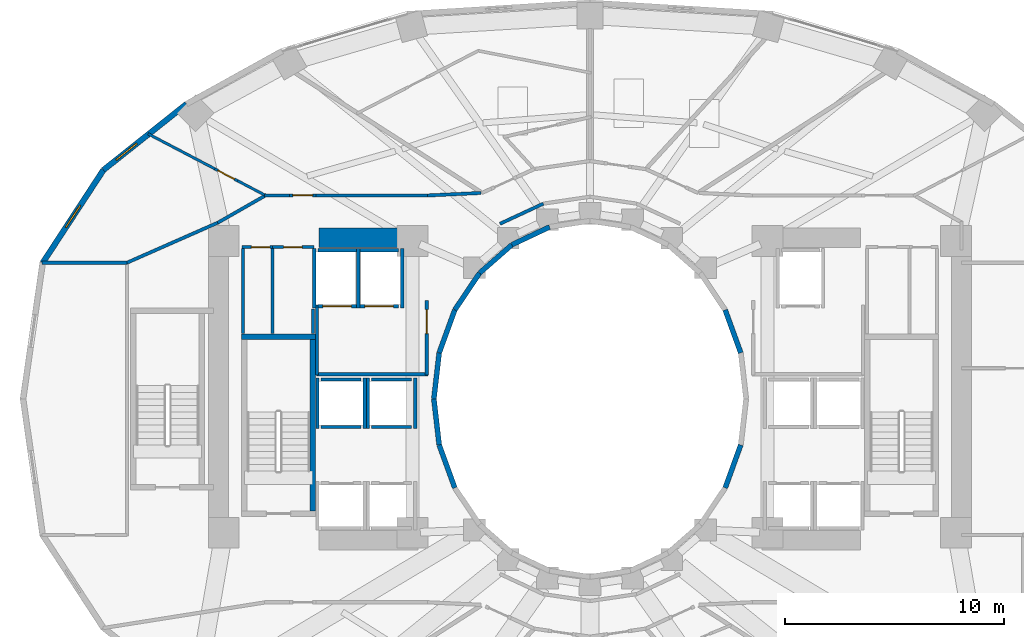
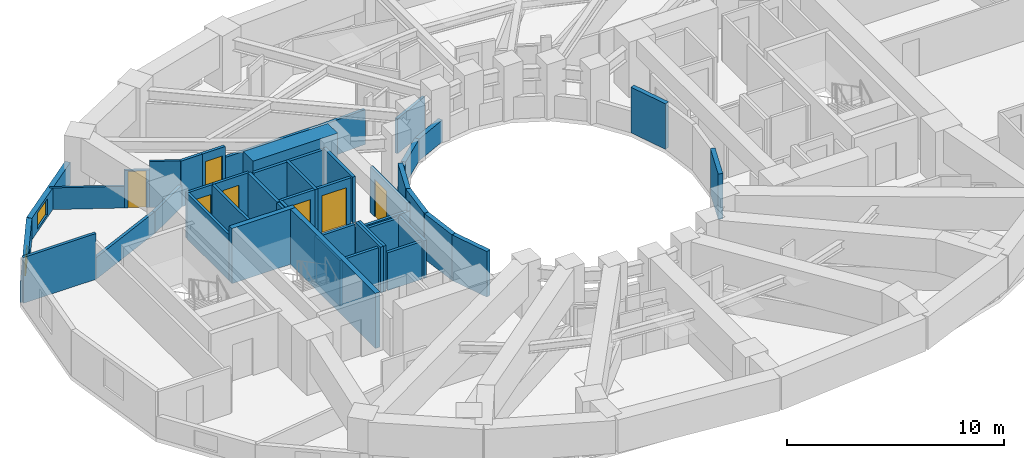
# One storey, part 11 of 17: 48 walls, 7 doors, 2 windows, 9 openings.
"""IFC4 building model written with IfcOpenShell, lengths in metres."""

from ifc_helpers import new_model, si_unit, direction, frame, frame_2d, origin, place, context, subcontext, project, spatial, rectangle, extrude, material, layer, layer_set, type_object, element, fill, save


model = new_model("IFC4")

# Units and contexts
model_context = context("Model", 3, precision=1e-05, world=origin(), true_north=direction((0.0, 1.0)))
body_context = subcontext(model_context, "Body", "Model", "MODEL_VIEW")
ifc_project = project(units=[si_unit("LENGTHUNIT", "METRE"), si_unit("AREAUNIT", "SQUARE_METRE"), si_unit("VOLUMEUNIT", "CUBIC_METRE"), si_unit("PLANEANGLEUNIT", "RADIAN"), si_unit("MASSUNIT", "GRAM", prefix="KILO")], contexts=[model_context])

# Site, building, storey
site_placement = place(None, origin())
site = spatial("IfcSite", under=ifc_project, at=site_placement, CompositionType="ELEMENT")
building_placement = place(site_placement, origin())
building = spatial("IfcBuilding", under=site, at=building_placement, Name="Solvane Sanctuary Tower", CompositionType="ELEMENT")
storey_placement = place(building_placement, frame((0.0, 0.0, 52.39990234375)))
storey = spatial("IfcBuildingStorey", under=building, at=storey_placement, Name="L15", CompositionType="ELEMENT", Elevation=52.39990234375)

# Walls
ifc_material_1 = material(Name="Concrete C70/85", Category="concrete")
ifc_layer_1 = layer(ifc_material_1, 0.89990234375, Name="Concrete C70/85")
ifc_layer_set_1 = layer_set([ifc_layer_1], Name="Concrete C70/85")
wall_type_1 = type_object("IfcWallType", Name="Wall W-CORE-900", PredefinedType="SHEAR", material=ifc_layer_set_1)
wall_1_placement = place(storey_placement, frame((19.64990234375, 30.35009765625, 0.0), z_axis=(0.0, 0.0, 1.0), x_axis=(1.0, 0.0, 0.0)))
element("IfcWall", 1, at=wall_1_placement, inside=storey, type_object=wall_type_1, Name="L15 Core Shear Wall WC-N", PredefinedType="SHEAR", context=body_context, shape_type="SweptSolid", body=[
    extrude(rectangle(XDim=4.5, YDim=0.89990234375, at=frame_2d((2.25, 0.0))), origin(), (0.0, 0.0, 1.0), 3.10009765625),
])
ifc_material_2 = material(Name="Acoustic Gypsum Partition Board")
ifc_layer_2 = layer(ifc_material_2, 0.14990234375, Name="Acoustic Gypsum Partition Board")
ifc_layer_set_2 = layer_set([ifc_layer_2], Name="Acoustic Gypsum Partition Board")
wall_type_2 = type_object("IfcWallType", Name="Wall W-CORR-150", PredefinedType="PARTITIONING", material=ifc_layer_set_2)
wall_2_placement = place(storey_placement, frame((19.52001953125, 24.1201171875, 0.0), z_axis=(0.0, 0.0, 1.0), x_axis=(1.0, 0.0, 0.0)))
element("IfcWall", 2, at=wall_2_placement, inside=storey, type_object=wall_type_2, Name="L15 West Firefighting Lobby South Wall", PredefinedType="PARTITIONING", context=body_context, shape_type="SweptSolid", body=[
    extrude(rectangle(XDim=5.080078125, YDim=0.14990234375, at=frame_2d((2.5400390625, 0.0))), origin(), (0.0, 0.0, 1.0), 2.1201171875),
])
wall_3_placement = place(storey_placement, frame((19.550048828125, 24.080078125, 0.0), z_axis=(0.0, 0.0, 1.0), x_axis=(0.0, 1.0, 0.0)))
element("IfcWall", 3, at=wall_3_placement, inside=storey, type_object=wall_type_2, Name="L15 West Firefighting Lobby West Wall", PredefinedType="PARTITIONING", context=body_context, shape_type="SweptSolid", body=[
    extrude(rectangle(XDim=3.199951171875, YDim=0.14990234375, at=frame_2d((1.60009765625, 0.0))), origin(), (0.0, 0.0, 1.0), 2.5751953125),
])

# Wall, opening, door
wall_4_placement = place(storey_placement, frame((24.550048828125, 24.080078125, 0.0), z_axis=(0.0, 0.0, 1.0), x_axis=(0.0, 1.0, 0.0)))
wall_4 = element("IfcWall", 4, at=wall_4_placement, inside=storey, type_object=wall_type_2, Name="L15 West Firefighting Lobby East Wall", PredefinedType="PARTITIONING", context=body_context, shape_type="SweptSolid", body=[
    extrude(rectangle(XDim=3.39990234375, YDim=0.14990234375, at=frame_2d((1.699951171875, 0.0))), origin(), (0.0, 0.0, 1.0), 2.5751953125),
])
opening_1_placement = place(wall_4_placement, frame((1.893798828125, 0.0, 0.0)))
opening_1 = element("IfcOpeningElement", 5, at=opening_1_placement, cuts=wall_4, Name="Opening D-L15-04", PredefinedType="OPENING", context=body_context, shape_type="SweptSolid", body=[
    extrude(rectangle(XDim=1.10009765625, YDim=2.10009765625, at=frame_2d((0.550048828125, 1.050048828125))), frame((0.0, 0.0849609375, 0.0), z_axis=(0.0, -1.0, 0.0), x_axis=(1.0, 0.0, 0.0)), (0.0, 0.0, 1.0), 0.169921875),
])
ifc_material_3 = material(Name="Architectural Stainless Steel 316", Category="steel")
door_type_1 = type_object("IfcDoorType", Name="Door D-FFL", OperationType="NOTDEFINED", PredefinedType="DOOR", material=ifc_material_3)
door_1_placement = place(opening_1_placement, origin())
door_1 = element("IfcDoor", 6, at=door_1_placement, inside=storey, type_object=door_type_1, Name="L15 West Firefighting Lobby Fire Door", OperationType="SINGLE_SWING_LEFT", OverallHeight=2.10009765625, OverallWidth=1.10009765625, PredefinedType="DOOR", context=body_context, shape_type="SweptSolid", body=[
    extrude(rectangle(XDim=1.10009765625, YDim=2.10009765625, at=frame_2d((0.550048828125, 1.050048828125))), frame((0.0, 0.02490234375, 0.0), z_axis=(0.0, -1.0, 0.0), x_axis=(1.0, 0.0, 0.0)), (0.0, 0.0, 1.0), 0.050048828125),
])
fill(opening_1, door_1)

# Walls
wall_5_placement = place(storey_placement, frame((29.87255859375, 31.90576171875, 0.0), z_axis=(0.0, 0.0, 1.0), x_axis=(-0.906943449489, -0.421252393975, 0.0)))
element("IfcWall", 7, at=wall_5_placement, inside=storey, type_object=wall_type_2, Name="L15 Light-Well Corridor Rim Wall N4", PredefinedType="PARTITIONING", context=body_context, shape_type="SweptSolid", body=[
    extrude(rectangle(XDim=2.18603515625, YDim=0.14990234375, at=frame_2d((1.093017578125, 0.0))), origin(), (0.0, 0.0, 1.0), 1.95703125),
])
wall_6_placement = place(storey_placement, frame((7.013671875, 29.211669921875, 0.0), z_axis=(0.0, 0.0, 1.0), x_axis=(1.0, 0.0, 0.0)))
element("IfcWall", 8, at=wall_6_placement, inside=storey, type_object=wall_type_2, Name="L15 West Shoulder North Wall", PredefinedType="PARTITIONING", context=body_context, shape_type="SweptSolid", body=[
    extrude(rectangle(XDim=3.8662109375, YDim=0.14990234375, at=frame_2d((1.93310546875, 0.0))), origin(), (0.0, 0.0, 1.0), 2.5751953125),
])
wall_7_placement = place(storey_placement, frame((10.843505859375, 29.195556640625, 0.0), z_axis=(0.0, 0.0, 1.0), x_axis=(0.91502756289, 0.403391322604, 0.0)))
element("IfcWall", 9, at=wall_7_placement, inside=storey, type_object=wall_type_2, Name="L15 NW Corner Closer 1", PredefinedType="PARTITIONING", context=body_context, shape_type="SweptSolid", body=[
    extrude(rectangle(XDim=4.63720703125, YDim=0.14990234375, at=frame_2d((2.318603515625, 0.0))), origin(), (0.0, 0.0, 1.0), 1.22021484375),
])
wall_8_placement = place(storey_placement, frame((27.02001953125, 32.393798828125, 0.0), z_axis=(0.0, 0.0, 1.0), x_axis=(-0.998877427952, -0.047369651964, 0.0)))
element("IfcWall", 10, at=wall_8_placement, inside=storey, type_object=wall_type_2, Name="L15 NW Corner Throat Wall", PredefinedType="PARTITIONING", context=body_context, shape_type="SweptSolid", body=[
    extrude(rectangle(XDim=2.4326171875, YDim=0.14990234375, at=frame_2d((1.21630859375, 0.0))), origin(), (0.0, 0.0, 1.0), 1.95703125),
])
wall_9_placement = place(storey_placement, frame((17.14990234375, 32.280029296875, 0.0), z_axis=(0.0, 0.0, 1.0), x_axis=(1.0, 0.0, 0.0)))
element("IfcWall", 11, at=wall_9_placement, inside=storey, type_object=wall_type_2, Name="L15 NW Corner Corridor Wall", PredefinedType="PARTITIONING", context=body_context, shape_type="SweptSolid", body=[
    extrude(rectangle(XDim=1.14013671875, YDim=0.14990234375, at=frame_2d((0.570068359375, 0.0))), origin(), (0.0, 0.0, 1.0), 2.5751953125),
])

# Wall, opening, door
wall_10_placement = place(storey_placement, frame((18.2900390625, 32.280029296875, 0.0), z_axis=(0.0, 0.0, 1.0), x_axis=(1.0, 0.0, 0.0)))
wall_10 = element("IfcWall", 12, at=wall_10_placement, inside=storey, type_object=wall_type_2, Name="L15 NW Corner Corridor Wall", PredefinedType="PARTITIONING", context=body_context, shape_type="SweptSolid", body=[
    extrude(rectangle(XDim=1.219970703125, YDim=0.14990234375, at=frame_2d((0.60986328125, 0.0))), origin(), (0.0, 0.0, 1.0), 2.5751953125),
])
opening_2_placement = place(wall_10_placement, frame((0.159912109375, 0.0, 0.0)))
opening_2 = element("IfcOpeningElement", 13, at=opening_2_placement, cuts=wall_10, Name="Opening D-L15-16", PredefinedType="OPENING", context=body_context, shape_type="SweptSolid", body=[
    extrude(rectangle(XDim=0.89990234375, YDim=2.10009765625, at=frame_2d((0.449951171875, 1.050048828125))), frame((0.0, 0.0849609375, 0.0), z_axis=(0.0, -1.0, 0.0), x_axis=(1.0, 0.0, 0.0)), (0.0, 0.0, 1.0), 0.169921875),
])
ifc_material_4 = material(Name="Engineered Tropical Hardwood", Category="wood")
door_type_2 = type_object("IfcDoorType", Name="Door D-WET-900", OperationType="NOTDEFINED", PredefinedType="DOOR", material=ifc_material_4)
door_2_placement = place(opening_2_placement, origin())
door_2 = element("IfcDoor", 14, at=door_2_placement, inside=storey, type_object=door_type_2, Name="L15 NW Corner Salon Door", OperationType="SINGLE_SWING_LEFT", OverallHeight=2.10009765625, OverallWidth=0.89990234375, PredefinedType="DOOR", context=body_context, shape_type="SweptSolid", body=[
    extrude(rectangle(XDim=0.89990234375, YDim=2.10009765625, at=frame_2d((0.449951171875, 1.050048828125))), frame((0.0, 0.02490234375, 0.0), z_axis=(0.0, -1.0, 0.0), x_axis=(1.0, 0.0, 0.0)), (0.0, 0.0, 1.0), 0.050048828125),
])
fill(opening_2, door_2)

# Walls
wall_11_placement = place(storey_placement, frame((19.510009765625, 32.280029296875, 0.0), z_axis=(0.0, 0.0, 1.0), x_axis=(1.0, 0.0, 0.0)))
element("IfcWall", 15, at=wall_11_placement, inside=storey, type_object=wall_type_2, Name="L15 NW Corner Corridor Wall", PredefinedType="PARTITIONING", context=body_context, shape_type="SweptSolid", body=[
    extrude(rectangle(XDim=5.159912109375, YDim=0.14990234375, at=frame_2d((2.580078125, 0.0))), origin(), (0.0, 0.0, 1.0), 1.95703125),
])
wall_12_placement = place(storey_placement, frame((17.243408203125, 32.3046875, 0.0), z_axis=(0.0, 0.0, 1.0), x_axis=(-0.867991349648, -0.496579315857, 0.0)))
element("IfcWall", 16, at=wall_12_placement, inside=storey, type_object=wall_type_2, Name="L15 NW Corner Wing Wall", PredefinedType="PARTITIONING", context=body_context, shape_type="SweptSolid", body=[
    extrude(rectangle(XDim=2.56689453125, YDim=0.14990234375, at=frame_2d((1.283447265625, 0.0))), origin(), (0.0, 0.0, 1.0), 1.22021484375),
])

# Wall, opening, window
ifc_material_5 = material(Name="Precast concrete C40/50", Category="concrete")
ifc_layer_3 = layer(ifc_material_5, 0.260009765625, Name="Precast concrete C40/50")
ifc_layer_set_3 = layer_set([ifc_layer_3], Name="Precast concrete C40/50")
wall_type_3 = type_object("IfcWallType", Name="Wall W-EXT-250", PredefinedType="STANDARD", material=ifc_layer_set_3)
wall_13_placement = place(storey_placement, frame((13.595458984375, 36.449951171875, 0.0), z_axis=(0.0, 0.0, 1.0), x_axis=(-0.783123133379, -0.621866672179, 0.0)))
wall_13 = element("IfcWall", 17, at=wall_13_placement, inside=storey, type_object=wall_type_3, Name="L15 Ceramic-Printed Facade Wall 09", PredefinedType="STANDARD", context=body_context, shape_type="SweptSolid", body=[
    extrude(rectangle(XDim=4.838623046875, YDim=0.260009765625, at=frame_2d((2.41943359375, 0.0))), origin(), (0.0, 0.0, 1.0), 1.22021484375),
])
opening_3_placement = place(wall_13_placement, frame((2.897705078125, 0.0, 0.14990234375)))
opening_3 = element("IfcOpeningElement", 18, at=opening_3_placement, cuts=wall_13, Name="Opening WN-OPER-1200", PredefinedType="OPENING", context=body_context, shape_type="SweptSolid", body=[
    extrude(rectangle(XDim=1.199951171875, YDim=0.89990234375, at=frame_2d((0.60009765625, 0.449951171875))), frame((0.0, 0.139892578125, 0.0), z_axis=(0.0, -1.0, 0.0), x_axis=(1.0, 0.0, 0.0)), (0.0, 0.0, 1.0), 0.280029296875),
])
ifc_material_6 = material(Name="Dark Ceramic-Fritted Low-E Glass", Category="glass")
window_type = type_object("IfcWindowType", Name="Window WN-OPER-1200", PartitioningType="SINGLE_PANEL", PredefinedType="WINDOW", material=ifc_material_6)
window_1_placement = place(opening_3_placement, origin())
window_1 = element("IfcWindow", 19, at=window_1_placement, inside=storey, type_object=window_type, Name="L15 Operable Facade Window 09", OverallHeight=0.89990234375, OverallWidth=1.199951171875, PartitioningType="SINGLE_PANEL", PredefinedType="WINDOW", context=body_context, shape_type="SweptSolid", body=[
    extrude(rectangle(XDim=1.199951171875, YDim=0.89990234375, at=frame_2d((0.60009765625, 0.449951171875))), frame((0.0, 0.030029296875, 0.0), z_axis=(0.0, -1.0, 0.0), x_axis=(1.0, 0.0, 0.0)), (0.0, 0.0, 1.0), 0.06005859375),
])
fill(opening_3, window_1)

wall_14_placement = place(storey_placement, frame((9.80615234375, 33.44091796875, 0.0), z_axis=(0.0, 0.0, 1.0), x_axis=(-0.547702757047, -0.836672988642, 0.0)))
wall_14 = element("IfcWall", 20, at=wall_14_placement, inside=storey, type_object=wall_type_3, Name="L15 Ceramic-Printed Facade Wall 10", PredefinedType="STANDARD", context=body_context, shape_type="SweptSolid", body=[
    extrude(rectangle(XDim=5.0625, YDim=0.260009765625, at=frame_2d((2.53125, 0.0))), origin(), (0.0, 0.0, 1.0), 1.22021484375),
])
opening_4_placement = place(wall_14_placement, frame((1.931396484375, 0.0, 0.14990234375)))
opening_4 = element("IfcOpeningElement", 21, at=opening_4_placement, cuts=wall_14, Name="Opening WN-OPER-1200", PredefinedType="OPENING", context=body_context, shape_type="SweptSolid", body=[
    extrude(rectangle(XDim=1.199951171875, YDim=0.89990234375, at=frame_2d((0.60009765625, 0.449951171875))), frame((0.0, 0.139892578125, 0.0), z_axis=(0.0, -1.0, 0.0), x_axis=(1.0, 0.0, 0.0)), (0.0, 0.0, 1.0), 0.280029296875),
])
window_2_placement = place(opening_4_placement, origin())
window_2 = element("IfcWindow", 22, at=window_2_placement, inside=storey, type_object=window_type, Name="L15 Operable Facade Window 10", OverallHeight=0.89990234375, OverallWidth=1.199951171875, PartitioningType="SINGLE_PANEL", PredefinedType="WINDOW", context=body_context, shape_type="SweptSolid", body=[
    extrude(rectangle(XDim=1.199951171875, YDim=0.89990234375, at=frame_2d((0.60009765625, 0.449951171875))), frame((0.0, 0.030029296875, 0.0), z_axis=(0.0, -1.0, 0.0), x_axis=(1.0, 0.0, 0.0)), (0.0, 0.0, 1.0), 0.06005859375),
])
fill(opening_4, window_2)

# Walls
ifc_layer_4 = layer(ifc_material_5, 0.22998046875, Name="Precast concrete C40/50")
ifc_layer_set_4 = layer_set([ifc_layer_4], Name="Precast concrete C40/50")
wall_type_4 = type_object("IfcWallType", Name="Wall W-EXT-SP220", PredefinedType="STANDARD", material=ifc_layer_set_4)
wall_15_placement = place(storey_placement, frame((38.87744140625, 25.1015625, 0.0), z_axis=(0.0, 0.0, 1.0), x_axis=(-0.341423187295, 0.93990968033, 0.0)))
element("IfcWall", 23, at=wall_15_placement, inside=storey, type_object=wall_type_4, Name="L15 Central Light-Well Wall 01", PredefinedType="STANDARD", context=body_context, shape_type="SweptSolid", body=[
    extrude(rectangle(XDim=2.083740234375, YDim=0.22998046875, at=frame_2d((1.0419921875, 0.0))), origin(), (0.0, 0.0, 1.0), 2.56005859375),
])
wall_16_placement = place(storey_placement, frame((30.1572265625, 30.84326171875, 0.0), z_axis=(0.0, 0.0, 1.0), x_axis=(-0.904179699603, -0.427152280606, 0.0)))
element("IfcWall", 24, at=wall_16_placement, inside=storey, type_object=wall_type_4, Name="L15 Central Light-Well Wall 07", PredefinedType="STANDARD", context=body_context, shape_type="SweptSolid", body=[
    extrude(rectangle(XDim=1.899169921875, YDim=0.22998046875, at=frame_2d((0.94970703125, 0.0))), origin(), (0.0, 0.0, 1.0), 1.22021484375),
])
wall_17_placement = place(storey_placement, frame((28.43994140625, 30.031982421875, 0.0), z_axis=(0.0, 0.0, 1.0), x_axis=(-0.752576694707, -0.658504607869, 0.0)))
element("IfcWall", 25, at=wall_17_placement, inside=storey, type_object=wall_type_4, Name="L15 Central Light-Well Wall 08", PredefinedType="STANDARD", context=body_context, shape_type="SweptSolid", body=[
    extrude(rectangle(XDim=1.95947265625, YDim=0.22998046875, at=frame_2d((0.979736328125, 0.0))), origin(), (0.0, 0.0, 1.0), 1.22021484375),
])
wall_18_placement = place(storey_placement, frame((26.96533203125, 28.74169921875, 0.0), z_axis=(0.0, 0.0, 1.0), x_axis=(-0.558197800898, -0.829707909492, 0.0)))
element("IfcWall", 26, at=wall_18_placement, inside=storey, type_object=wall_type_4, Name="L15 Central Light-Well Wall 09", PredefinedType="STANDARD", context=body_context, shape_type="SweptSolid", body=[
    extrude(rectangle(XDim=2.02685546875, YDim=0.22998046875, at=frame_2d((1.013427734375, 0.0))), origin(), (0.0, 0.0, 1.0), 1.22021484375),
])
wall_19_placement = place(storey_placement, frame((25.833984375, 27.06005859375, 0.0), z_axis=(0.0, 0.0, 1.0), x_axis=(-0.341423187295, -0.93990968033, 0.0)))
element("IfcWall", 27, at=wall_19_placement, inside=storey, type_object=wall_type_4, Name="L15 Central Light-Well Wall 10", PredefinedType="STANDARD", context=body_context, shape_type="SweptSolid", body=[
    extrude(rectangle(XDim=2.083740234375, YDim=0.22998046875, at=frame_2d((1.0419921875, 0.0))), origin(), (0.0, 0.0, 1.0), 2.56005859375),
])
for number, where, z_axis, x_axis, name in (
    (28, (25.12255859375, 25.1015625, 0.0), (0.0, 0.0, 1.0), (-0.114711713601, -0.993398823617, 0.0), "L15 Central Light-Well Wall 11"),
    (29, (24.8798828125, 23.0, 0.0), (0.0, 0.0, 1.0), (0.114711713601, -0.993398823617, 0.0), "L15 Central Light-Well Wall 12"),
):
    element("IfcWall", number, at=place(storey_placement, frame(where, z_axis=z_axis, x_axis=x_axis)), inside=storey, type_object=wall_type_4, Name=name, PredefinedType="STANDARD", context=body_context, shape_type="SweptSolid", body=[
        extrude(rectangle(XDim=2.115478515625, YDim=0.22998046875, at=frame_2d((1.0576171875, 0.0))), origin(), (0.0, 0.0, 1.0), 2.56005859375),
    ])
for number, where, z_axis, x_axis, name in (
    (30, (25.12255859375, 20.8984375, 0.0), (0.0, 0.0, 1.0), (0.341423187295, -0.93990968033, 0.0), "L15 Central Light-Well Wall 13"),
    (31, (38.166015625, 18.93994140625, 0.0), (0.0, 0.0, 1.0), (0.341423187295, 0.93990968033, 0.0), "L15 Central Light-Well Wall 22"),
):
    element("IfcWall", number, at=place(storey_placement, frame(where, z_axis=z_axis, x_axis=x_axis)), inside=storey, type_object=wall_type_4, Name=name, PredefinedType="STANDARD", context=body_context, shape_type="SweptSolid", body=[
        extrude(rectangle(XDim=2.083740234375, YDim=0.22998046875, at=frame_2d((1.0419921875, 0.0))), origin(), (0.0, 0.0, 1.0), 2.56005859375),
    ])
ifc_layer_5 = layer(ifc_material_2, 0.1201171875, Name="Acoustic Gypsum Partition Board")
ifc_layer_set_5 = layer_set([ifc_layer_5], Name="Acoustic Gypsum Partition Board")
wall_type_5 = type_object("IfcWallType", Name="Wall W-MOV-100", PredefinedType="MOVABLE", material=ifc_layer_set_5)
wall_20_placement = place(storey_placement, frame((17.244384765625, 32.2568359375, 0.0), z_axis=(0.0, 0.0, 1.0), x_axis=(-0.885552742751, 0.464538846391, 0.0)))
element("IfcWall", 32, at=wall_20_placement, inside=storey, type_object=wall_type_5, Name="L15 NW Corner Suite Partition", PredefinedType="MOVABLE", context=body_context, shape_type="SweptSolid", body=[
    extrude(rectangle(XDim=1.491943359375, YDim=0.1201171875, at=frame_2d((0.74609375, 0.0))), origin(), (0.0, 0.0, 1.0), 2.5751953125),
])

# Wall, opening, door
wall_21_placement = place(storey_placement, frame((15.923095703125, 32.949951171875, 0.0), z_axis=(0.0, 0.0, 1.0), x_axis=(-0.885533150024, 0.464576194191, 0.0)))
wall_21 = element("IfcWall", 33, at=wall_21_placement, inside=storey, type_object=wall_type_5, Name="L15 NW Corner Suite Partition", PredefinedType="MOVABLE", context=body_context, shape_type="SweptSolid", body=[
    extrude(rectangle(XDim=1.169677734375, YDim=0.1201171875, at=frame_2d((0.5849609375, 0.0))), origin(), (0.0, 0.0, 1.0), 2.110107421875),
])
opening_5_placement = place(wall_21_placement, frame((0.159912109375, 0.0, 0.0)))
opening_5 = element("IfcOpeningElement", 34, at=opening_5_placement, cuts=wall_21, Name="Opening D-L15-15", PredefinedType="OPENING", context=body_context, shape_type="SweptSolid", body=[
    extrude(rectangle(XDim=0.85009765625, YDim=2.050048828125, at=frame_2d((0.425048828125, 1.02490234375))), frame((0.0, 0.070068359375, 0.0), z_axis=(0.0, -1.0, 0.0), x_axis=(1.0, 0.0, 0.0)), (0.0, 0.0, 1.0), 0.14013671875),
])
door_type_3 = type_object("IfcDoorType", Name="Door D-RISER", OperationType="NOTDEFINED", PredefinedType="DOOR", material=ifc_material_3)
door_3_placement = place(opening_5_placement, origin())
door_3 = element("IfcDoor", 35, at=door_3_placement, inside=storey, type_object=door_type_3, Name="L15 NW Corner Suite Door", OperationType="SINGLE_SWING_RIGHT", OverallHeight=2.050048828125, OverallWidth=0.85009765625, PredefinedType="DOOR", context=body_context, shape_type="SweptSolid", body=[
    extrude(rectangle(XDim=0.85009765625, YDim=2.050048828125, at=frame_2d((0.425048828125, 1.02490234375))), frame((0.0, 0.02490234375, 0.0), z_axis=(0.0, -1.0, 0.0), x_axis=(1.0, 0.0, 0.0)), (0.0, 0.0, 1.0), 0.050048828125),
])
fill(opening_5, door_3)

# Walls
wall_22_placement = place(storey_placement, frame((14.88720703125, 33.493408203125, 0.0), z_axis=(0.0, 0.0, 1.0), x_axis=(-0.885561599533, 0.464521962271, 0.0)))
element("IfcWall", 36, at=wall_22_placement, inside=storey, type_object=wall_type_5, Name="L15 NW Corner Suite Partition", PredefinedType="MOVABLE", context=body_context, shape_type="SweptSolid", body=[
    extrude(rectangle(XDim=3.436279296875, YDim=0.1201171875, at=frame_2d((1.71826171875, 0.0))), origin(), (0.0, 0.0, 1.0), 1.22021484375),
])
ifc_material_7 = material(Name="Concrete C50/60", Category="concrete")
ifc_layer_6 = layer(ifc_material_7, 0.14990234375, Name="Concrete C50/60")
ifc_layer_set_6 = layer_set([ifc_layer_6], Name="Concrete C50/60")
wall_type_6 = type_object("IfcWallType", Name="Wall W-SHAFT-150", PredefinedType="SOLIDWALL", material=ifc_layer_set_6)
for number, where, z_axis, x_axis, name in (
    (37, (19.739990234375, 21.719970703125, 0.0), (0.0, 0.0, 1.0), (1.0, 0.0, 0.0), "L15 PM-1 Lift Shaft Wall F"),
    (38, (19.739990234375, 23.8798828125, 0.0), (0.0, 0.0, 1.0), (1.0, 0.0, 0.0), "L15 PM-1 Lift Shaft Wall B"),
):
    element("IfcWall", number, at=place(storey_placement, frame(where, z_axis=z_axis, x_axis=x_axis)), inside=storey, type_object=wall_type_6, Name=name, PredefinedType="SOLIDWALL", context=body_context, shape_type="SweptSolid", body=[
        extrude(rectangle(XDim=1.820068359375, YDim=0.14990234375, at=frame_2d((0.91015625, 0.0))), origin(), (0.0, 0.0, 1.0), 2.5751953125),
    ])
for number, where, z_axis, x_axis, name in (
    (39, (19.570068359375, 21.639892578125, 0.0), (0.0, 0.0, 1.0), (0.0, 1.0, 0.0), "L15 PM-1 Lift Shaft Wall S1"),
    (40, (21.72998046875, 21.639892578125, 0.0), (0.0, 0.0, 1.0), (0.0, 1.0, 0.0), "L15 PM-1 Lift Shaft Wall S2"),
):
    element("IfcWall", number, at=place(storey_placement, frame(where, z_axis=z_axis, x_axis=x_axis)), inside=storey, type_object=wall_type_6, Name=name, PredefinedType="SOLIDWALL", context=body_context, shape_type="SweptSolid", body=[
        extrude(rectangle(XDim=2.320068359375, YDim=0.14990234375, at=frame_2d((1.16015625, 0.0))), origin(), (0.0, 0.0, 1.0), 2.5751953125),
    ])
for number, where, z_axis, x_axis, name in (
    (41, (22.0400390625, 21.719970703125, 0.0), (0.0, 0.0, 1.0), (1.0, 0.0, 0.0), "L15 PH-1 Lift Shaft Wall F"),
    (42, (22.0400390625, 23.8798828125, 0.0), (0.0, 0.0, 1.0), (1.0, 0.0, 0.0), "L15 PH-1 Lift Shaft Wall B"),
):
    element("IfcWall", number, at=place(storey_placement, frame(where, z_axis=z_axis, x_axis=x_axis)), inside=storey, type_object=wall_type_6, Name=name, PredefinedType="SOLIDWALL", context=body_context, shape_type="SweptSolid", body=[
        extrude(rectangle(XDim=1.820068359375, YDim=0.14990234375, at=frame_2d((0.91015625, 0.0))), origin(), (0.0, 0.0, 1.0), 2.1201171875),
    ])
wall_23_placement = place(storey_placement, frame((21.8701171875, 21.639892578125, 0.0), z_axis=(0.0, 0.0, 1.0), x_axis=(0.0, 1.0, 0.0)))
element("IfcWall", 43, at=wall_23_placement, inside=storey, type_object=wall_type_6, Name="L15 PH-1 Lift Shaft Wall S1", PredefinedType="SOLIDWALL", context=body_context, shape_type="SweptSolid", body=[
    extrude(rectangle(XDim=2.320068359375, YDim=0.14990234375, at=frame_2d((1.16015625, 0.0))), origin(), (0.0, 0.0, 1.0), 2.5751953125),
])
wall_24_placement = place(storey_placement, frame((24.030029296875, 21.639892578125, 0.0), z_axis=(0.0, 0.0, 1.0), x_axis=(0.0, 1.0, 0.0)))
element("IfcWall", 44, at=wall_24_placement, inside=storey, type_object=wall_type_6, Name="L15 PH-1 Lift Shaft Wall S2", PredefinedType="SOLIDWALL", context=body_context, shape_type="SweptSolid", body=[
    extrude(rectangle(XDim=2.320068359375, YDim=0.14990234375, at=frame_2d((1.16015625, 0.0))), origin(), (0.0, 0.0, 1.0), 2.1201171875),
])

# Wall, opening, door
wall_25_placement = place(storey_placement, frame((19.590087890625, 27.219970703125, 0.0), z_axis=(0.0, 0.0, 1.0), x_axis=(1.0, 0.0, 0.0)))
wall_25 = element("IfcWall", 45, at=wall_25_placement, inside=storey, type_object=wall_type_6, Name="L15 FFL-1 Lift Shaft Wall F", PredefinedType="SOLIDWALL", context=body_context, shape_type="SweptSolid", body=[
    extrude(rectangle(XDim=1.760009765625, YDim=0.14990234375, at=frame_2d((0.8798828125, 0.0))), origin(), (0.0, 0.0, 1.0), 2.5751953125),
])
opening_6_placement = place(wall_25_placement, frame((0.22998046875, 0.0, 0.0)))
opening_6 = element("IfcOpeningElement", 46, at=opening_6_placement, cuts=wall_25, Name="Opening LD-L15-05", PredefinedType="OPENING", context=body_context, shape_type="SweptSolid", body=[
    extrude(rectangle(XDim=1.300048828125, YDim=2.10009765625, at=frame_2d((0.64990234375, 1.050048828125))), frame((0.0, 0.0849609375, 0.0), z_axis=(0.0, -1.0, 0.0), x_axis=(1.0, 0.0, 0.0)), (0.0, 0.0, 1.0), 0.169921875),
])
door_type_4 = type_object("IfcDoorType", Name="Door LD-FFL-1300", OperationType="NOTDEFINED", PredefinedType="DOOR", material=ifc_material_3)
door_4_placement = place(opening_6_placement, origin())
door_4 = element("IfcDoor", 47, at=door_4_placement, inside=storey, type_object=door_type_4, Name="L15 FFL-1 Lift Landing Door", OperationType="DOUBLE_DOOR_SLIDING", OverallHeight=2.10009765625, OverallWidth=1.300048828125, PredefinedType="DOOR", context=body_context, shape_type="SweptSolid", body=[
    extrude(rectangle(XDim=1.300048828125, YDim=2.10009765625, at=frame_2d((0.64990234375, 1.050048828125))), frame((0.0, 0.02490234375, 0.0), z_axis=(0.0, -1.0, 0.0), x_axis=(1.0, 0.0, 0.0)), (0.0, 0.0, 1.0), 0.050048828125),
])
fill(opening_6, door_4)

# Walls
wall_26_placement = place(storey_placement, frame((19.590087890625, 29.780029296875, 0.0), z_axis=(0.0, 0.0, 1.0), x_axis=(1.0, 0.0, 0.0)))
element("IfcWall", 48, at=wall_26_placement, inside=storey, type_object=wall_type_6, Name="L15 FFL-1 Lift Shaft Wall B", PredefinedType="SOLIDWALL", context=body_context, shape_type="SweptSolid", body=[
    extrude(rectangle(XDim=1.760009765625, YDim=0.14990234375, at=frame_2d((0.8798828125, 0.0))), origin(), (0.0, 0.0, 1.0), 2.5751953125),
])
for number, where, z_axis, x_axis, name in (
    (49, (19.419921875, 27.139892578125, 0.0), (0.0, 0.0, 1.0), (0.0, 1.0, 0.0), "L15 FFL-1 Lift Shaft Wall S1"),
    (50, (21.425048828125, 27.139892578125, 0.0), (0.0, 0.0, 1.0), (0.0, 1.0, 0.0), "L15 FFL-1 Lift Shaft Wall S2"),
):
    element("IfcWall", number, at=place(storey_placement, frame(where, z_axis=z_axis, x_axis=x_axis)), inside=storey, type_object=wall_type_6, Name=name, PredefinedType="SOLIDWALL", context=body_context, shape_type="SweptSolid", body=[
        extrude(rectangle(XDim=2.72021484375, YDim=0.14990234375, at=frame_2d((1.360107421875, 0.0))), origin(), (0.0, 0.0, 1.0), 2.5751953125),
    ])

# Wall, opening, door
wall_27_placement = place(storey_placement, frame((21.5, 27.219970703125, 0.0), z_axis=(0.0, 0.0, 1.0), x_axis=(1.0, 0.0, 0.0)))
wall_27 = element("IfcWall", 51, at=wall_27_placement, inside=storey, type_object=wall_type_6, Name="L15 SVL-1 Lift Shaft Wall F", PredefinedType="SOLIDWALL", context=body_context, shape_type="SweptSolid", body=[
    extrude(rectangle(XDim=1.760009765625, YDim=0.14990234375, at=frame_2d((0.8798828125, 0.0))), origin(), (0.0, 0.0, 1.0), 2.5751953125),
])
opening_7_placement = place(wall_27_placement, frame((0.22998046875, 0.0, 0.0)))
opening_7 = element("IfcOpeningElement", 52, at=opening_7_placement, cuts=wall_27, Name="Opening LD-L15-06", PredefinedType="OPENING", context=body_context, shape_type="SweptSolid", body=[
    extrude(rectangle(XDim=1.300048828125, YDim=2.10009765625, at=frame_2d((0.64990234375, 1.050048828125))), frame((0.0, 0.0849609375, 0.0), z_axis=(0.0, -1.0, 0.0), x_axis=(1.0, 0.0, 0.0)), (0.0, 0.0, 1.0), 0.169921875),
])
door_5_placement = place(opening_7_placement, origin())
door_5 = element("IfcDoor", 53, at=door_5_placement, inside=storey, type_object=door_type_4, Name="L15 SVL-1 Lift Landing Door", OperationType="DOUBLE_DOOR_SLIDING", OverallHeight=2.10009765625, OverallWidth=1.300048828125, PredefinedType="DOOR", context=body_context, shape_type="SweptSolid", body=[
    extrude(rectangle(XDim=1.300048828125, YDim=2.10009765625, at=frame_2d((0.64990234375, 1.050048828125))), frame((0.0, 0.02490234375, 0.0), z_axis=(0.0, -1.0, 0.0), x_axis=(1.0, 0.0, 0.0)), (0.0, 0.0, 1.0), 0.050048828125),
])
fill(opening_7, door_5)

# Walls
wall_28_placement = place(storey_placement, frame((21.5, 29.780029296875, 0.0), z_axis=(0.0, 0.0, 1.0), x_axis=(1.0, 0.0, 0.0)))
element("IfcWall", 54, at=wall_28_placement, inside=storey, type_object=wall_type_6, Name="L15 SVL-1 Lift Shaft Wall B", PredefinedType="SOLIDWALL", context=body_context, shape_type="SweptSolid", body=[
    extrude(rectangle(XDim=1.760009765625, YDim=0.14990234375, at=frame_2d((0.8798828125, 0.0))), origin(), (0.0, 0.0, 1.0), 2.5751953125),
])
wall_29_placement = place(storey_placement, frame((23.429931640625, 27.139892578125, 0.0), z_axis=(0.0, 0.0, 1.0), x_axis=(0.0, 1.0, 0.0)))
element("IfcWall", 55, at=wall_29_placement, inside=storey, type_object=wall_type_6, Name="L15 SVL-1 Lift Shaft Wall S2", PredefinedType="SOLIDWALL", context=body_context, shape_type="SweptSolid", body=[
    extrude(rectangle(XDim=2.72021484375, YDim=0.14990234375, at=frame_2d((1.360107421875, 0.0))), origin(), (0.0, 0.0, 1.0), 2.5751953125),
])
ifc_layer_7 = layer(ifc_material_7, 0.25, Name="Concrete C50/60")
ifc_layer_set_7 = layer_set([ifc_layer_7], Name="Concrete C50/60")
wall_type_7 = type_object("IfcWallType", Name="Wall W-SHAFT-250", PredefinedType="SOLIDWALL", material=ifc_layer_set_7)
wall_30_placement = place(storey_placement, frame((16.10498046875, 25.830078125, 0.0), z_axis=(0.0, 0.0, 1.0), x_axis=(1.0, 0.0, 0.0)))
element("IfcWall", 56, at=wall_30_placement, inside=storey, type_object=wall_type_7, Name="L15 ST-1 Load-Bearing Shaft Wall N", PredefinedType="SOLIDWALL", context=body_context, shape_type="SweptSolid", body=[
    extrude(rectangle(XDim=3.3701171875, YDim=0.25, at=frame_2d((1.68505859375, 0.0))), origin(), (0.0, 0.0, 1.0), 3.10009765625),
])
wall_31_placement = place(storey_placement, frame((19.35009765625, 17.89501953125, 0.0), z_axis=(0.0, 0.0, 1.0), x_axis=(0.0, 1.0, 0.0)))
element("IfcWall", 57, at=wall_31_placement, inside=storey, type_object=wall_type_7, Name="L15 ST-1 Load-Bearing Shaft Wall E", PredefinedType="SOLIDWALL", context=body_context, shape_type="SweptSolid", body=[
    extrude(rectangle(XDim=7.81005859375, YDim=0.25, at=frame_2d((3.905029296875, 0.0))), origin(), (0.0, 0.0, 1.0), 3.10009765625),
])

# Wall, opening, door
ifc_layer_8 = layer(ifc_material_2, 0.139892578125, Name="Acoustic Gypsum Partition Board")
ifc_layer_set_8 = layer_set([ifc_layer_8], Name="Acoustic Gypsum Partition Board")
wall_type_8 = type_object("IfcWallType", Name="Wall W-WET-140", PredefinedType="PLUMBINGWALL", material=ifc_layer_set_8)
wall_32_placement = place(storey_placement, frame((16.1201171875, 29.919921875, 0.0), z_axis=(0.0, 0.0, 1.0), x_axis=(1.0, 0.0, 0.0)))
wall_32 = element("IfcWall", 58, at=wall_32_placement, inside=storey, type_object=wall_type_8, Name="L15 Core Service Front Wall KW1", PredefinedType="PLUMBINGWALL", context=body_context, shape_type="SweptSolid", body=[
    extrude(rectangle(XDim=1.39990234375, YDim=0.139892578125, at=frame_2d((0.699951171875, 0.0))), origin(), (0.0, 0.0, 1.0), 2.5751953125),
])
opening_8_placement = place(wall_32_placement, frame((0.429931640625, 0.0, 0.0)))
opening_8 = element("IfcOpeningElement", 59, at=opening_8_placement, cuts=wall_32, Name="Opening D-L15-06", PredefinedType="OPENING", context=body_context, shape_type="SweptSolid", body=[
    extrude(rectangle(XDim=0.85009765625, YDim=2.050048828125, at=frame_2d((0.425048828125, 1.02490234375))), frame((0.0, 0.079833984375, 0.0), z_axis=(0.0, -1.0, 0.0), x_axis=(1.0, 0.0, 0.0)), (0.0, 0.0, 1.0), 0.159912109375),
])
door_6_placement = place(opening_8_placement, origin())
door_6 = element("IfcDoor", 60, at=door_6_placement, inside=storey, type_object=door_type_3, Name="L15 Core Service Room Door KW1-1", OperationType="SINGLE_SWING_LEFT", OverallHeight=2.050048828125, OverallWidth=0.85009765625, PredefinedType="DOOR", context=body_context, shape_type="SweptSolid", body=[
    extrude(rectangle(XDim=0.85009765625, YDim=2.050048828125, at=frame_2d((0.425048828125, 1.02490234375))), frame((0.0, 0.02490234375, 0.0), z_axis=(0.0, -1.0, 0.0), x_axis=(1.0, 0.0, 0.0)), (0.0, 0.0, 1.0), 0.050048828125),
])
fill(opening_8, door_6)

# Walls
for number, where, z_axis, x_axis, name in (
    (61, (16.179931640625, 25.97998046875, 0.0), (0.0, 0.0, 1.0), (0.0, 1.0, 0.0), "L15 Core Service Side Wall KW1-1"),
    (62, (17.52001953125, 25.97998046875, 0.0), (0.0, 0.0, 1.0), (0.0, 1.0, 0.0), "L15 Core Service Side Wall KW1-2"),
):
    element("IfcWall", number, at=place(storey_placement, frame(where, z_axis=z_axis, x_axis=x_axis)), inside=storey, type_object=wall_type_8, Name=name, PredefinedType="PLUMBINGWALL", context=body_context, shape_type="SweptSolid", body=[
        extrude(rectangle(XDim=3.880126953125, YDim=0.139892578125, at=frame_2d((1.93994140625, 0.0))), origin(), (0.0, 0.0, 1.0), 2.5751953125),
    ])

# Wall, opening, door
wall_33_placement = place(storey_placement, frame((17.52001953125, 29.919921875, 0.0), z_axis=(0.0, 0.0, 1.0), x_axis=(1.0, 0.0, 0.0)))
wall_33 = element("IfcWall", 63, at=wall_33_placement, inside=storey, type_object=wall_type_8, Name="L15 Core Service Front Wall KW2", PredefinedType="PLUMBINGWALL", context=body_context, shape_type="SweptSolid", body=[
    extrude(rectangle(XDim=1.89990234375, YDim=0.139892578125, at=frame_2d((0.949951171875, 0.0))), origin(), (0.0, 0.0, 1.0), 2.5751953125),
])
opening_9_placement = place(wall_33_placement, frame((0.5, 0.0, 0.0)))
opening_9 = element("IfcOpeningElement", 64, at=opening_9_placement, cuts=wall_33, Name="Opening D-L15-07", PredefinedType="OPENING", context=body_context, shape_type="SweptSolid", body=[
    extrude(rectangle(XDim=0.85009765625, YDim=2.050048828125, at=frame_2d((0.425048828125, 1.02490234375))), frame((0.0, 0.079833984375, 0.0), z_axis=(0.0, -1.0, 0.0), x_axis=(1.0, 0.0, 0.0)), (0.0, 0.0, 1.0), 0.159912109375),
])
door_7_placement = place(opening_9_placement, origin())
door_7 = element("IfcDoor", 65, at=door_7_placement, inside=storey, type_object=door_type_3, Name="L15 Core Service Room Door KW2-1", OperationType="SINGLE_SWING_RIGHT", OverallHeight=2.050048828125, OverallWidth=0.85009765625, PredefinedType="DOOR", context=body_context, shape_type="SweptSolid", body=[
    extrude(rectangle(XDim=0.85009765625, YDim=2.050048828125, at=frame_2d((0.425048828125, 1.02490234375))), frame((0.0, 0.02490234375, 0.0), z_axis=(0.0, -1.0, 0.0), x_axis=(1.0, 0.0, 0.0)), (0.0, 0.0, 1.0), 0.050048828125),
])
fill(opening_9, door_7)

# Wall
wall_34_placement = place(storey_placement, frame((19.360107421875, 25.97998046875, 0.0), z_axis=(0.0, 0.0, 1.0), x_axis=(0.0, 1.0, 0.0)))
element("IfcWall", 66, at=wall_34_placement, inside=storey, type_object=wall_type_8, Name="L15 Core Service Side Wall KW2-1", PredefinedType="PLUMBINGWALL", context=body_context, shape_type="SweptSolid", body=[
    extrude(rectangle(XDim=1.1201171875, YDim=0.139892578125, at=frame_2d((0.56005859375, 0.0))), origin(), (0.0, 0.0, 1.0), 2.5751953125),
])

save(model, "model.ifc")
